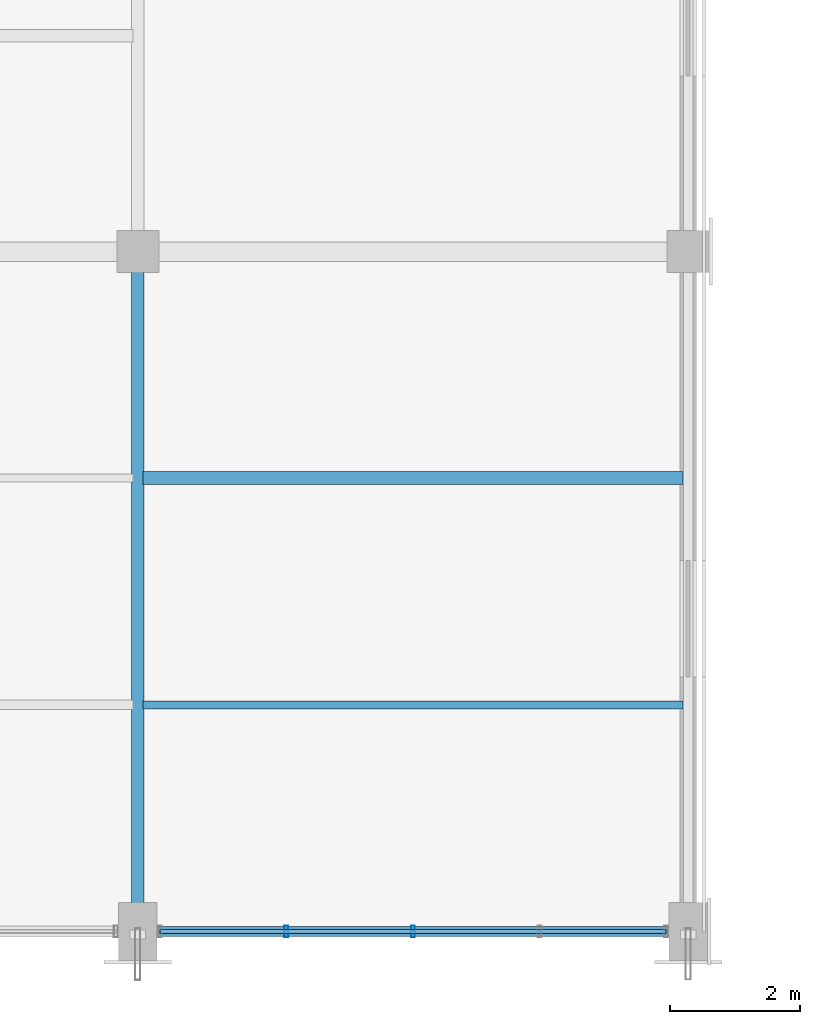
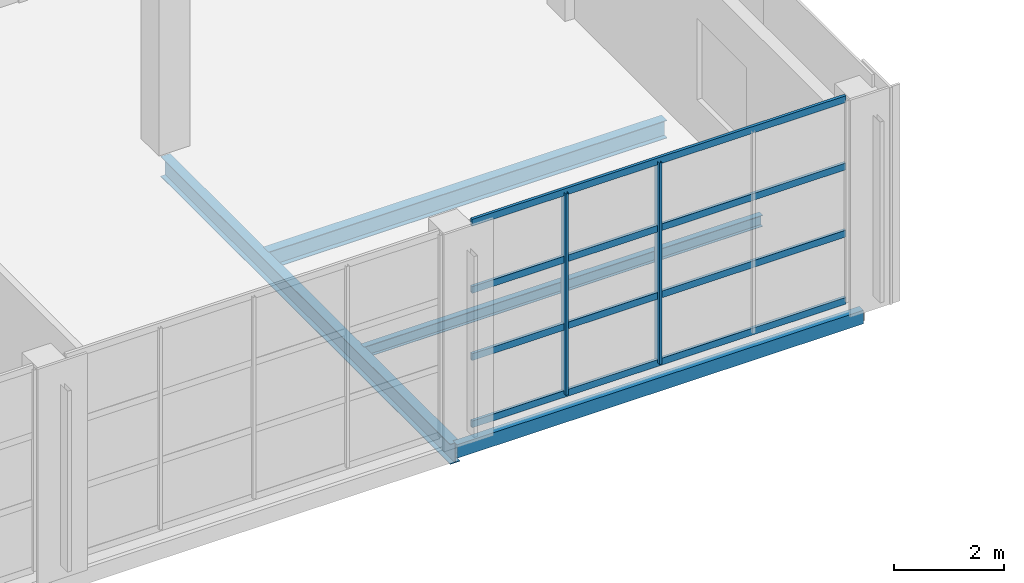
# One storey, part 7 of 66: 6 members, 4 beams, 1 element without a shape of its own.
"""IFC4 building model written with IfcOpenShell, lengths in metres."""

import ifcopenshell
import ifcopenshell.guid

model = None  # the IFC model being written
_history = None  # IfcOwnerHistory: only IFC2X3 demands one
_inside = {}  # id of a spatial element -> (the spatial element, [elements in it])
_under = {}  # id of a project, library or spatial element -> (it, [spatial elements below it])
_declared = {}  # id of a project -> (the project, [libraries it declares])
_typed = {}  # id of a type object -> (the type object, [elements of that type])
_made_of = {}  # id of a material, layer set ... -> (it, [elements and type objects made of it])


def new_model(schema):
    """Start an empty IFC model of exactly this schema.

    Asked for "IFC4X3", IfcOpenShell would pick the latest addendum, in which some entities
    have other attributes; the version numbers below select the first issue.
    IFC2X3 requires an IfcOwnerHistory on every rooted entity: one is made here for all.
    """
    global model, _history
    if schema == "IFC4X3":
        model = ifcopenshell.file(schema_version=(4, 3, 0, 0))
    else:
        model = ifcopenshell.file(schema=schema)
    _inside.clear()
    _under.clear()
    _declared.clear()
    _typed.clear()
    _made_of.clear()
    _history = None
    if model.schema == "IFC2X3":
        org = make("IfcOrganization", Name="unknown")
        user = make(
            "IfcPersonAndOrganization",
            ThePerson=make("IfcPerson", FamilyName="unknown"),
            TheOrganization=org,
        )
        app = make(
            "IfcApplication",
            ApplicationDeveloper=org,
            Version="unknown",
            ApplicationFullName="unknown",
            ApplicationIdentifier="unknown",
        )
        _history = make(
            "IfcOwnerHistory",
            OwningUser=user,
            OwningApplication=app,
            ChangeAction="ADDED",
            CreationDate=0,
        )
    return model


def make(cls, **values):
    """One entity of the class cls with the attributes given. An attribute that is None is left unset."""
    return model.create_entity(
        cls, **{name: value for name, value in values.items() if value is not None}
    )


def rooted(cls, **values):
    """An entity with a GlobalId (a new one), such as an element, a storey or a relation."""
    return make(cls, GlobalId=ifcopenshell.guid.new(), OwnerHistory=_history, **values)


def si_unit(unit_type, name, prefix=None):
    """IfcSIUnit, for example si_unit("LENGTHUNIT", "METRE", prefix="MILLI")."""
    return make("IfcSIUnit", UnitType=unit_type, Prefix=prefix, Name=name)


def assignment(units):
    """IfcUnitAssignment: the units of a project."""
    return None if units is None else make("IfcUnitAssignment", Units=units)


def point(xyz):
    """IfcCartesianPoint."""
    return None if xyz is None else make("IfcCartesianPoint", Coordinates=xyz)


def direction(xyz):
    """IfcDirection."""
    return None if xyz is None else make("IfcDirection", DirectionRatios=xyz)


def frame(location, z_axis=None, x_axis=None):
    """IfcAxis2Placement3D, a coordinate frame: its origin and axes. An axis left out is left unset."""
    return make(
        "IfcAxis2Placement3D",
        Location=point(location),
        Axis=direction(z_axis),
        RefDirection=direction(x_axis),
    )


def frame_2d(location, x_axis=None):
    """IfcAxis2Placement2D, a coordinate frame in the plane: its origin and x axis."""
    return make(
        "IfcAxis2Placement2D", Location=point(location), RefDirection=direction(x_axis)
    )


def origin():
    """The frame at (0, 0, 0) with its axes left unset."""
    return frame((0.0, 0.0, 0.0))


def origin_2d():
    """The frame at (0, 0) in the plane with its x axis left unset."""
    return frame_2d((0.0, 0.0))


def place(relative_to, where):
    """IfcLocalPlacement: puts the frame where relative to a parent placement (None: the world)."""
    return make(
        "IfcLocalPlacement", PlacementRelTo=relative_to, RelativePlacement=where
    )


def context(
    kind, dimensions, precision=None, world=None, true_north=None, identifier=None
):
    """IfcGeometricRepresentationContext, for example the 3D "Model" context."""
    return make(
        "IfcGeometricRepresentationContext",
        ContextIdentifier=identifier,
        ContextType=kind,
        CoordinateSpaceDimension=dimensions,
        Precision=precision,
        WorldCoordinateSystem=world,
        TrueNorth=true_north,
    )


def subcontext(parent, identifier, kind, view, scale=None):
    """IfcGeometricRepresentationSubContext, for example "Body" below "Model"."""
    return make(
        "IfcGeometricRepresentationSubContext",
        ContextIdentifier=identifier,
        ContextType=kind,
        ParentContext=parent,
        TargetScale=scale,
        TargetView=view,
    )


def project(units=None, contexts=None):
    """IfcProject with its units and contexts."""
    return rooted(
        "IfcProject",
        Name="project",
        RepresentationContexts=contexts,
        UnitsInContext=assignment(units),
    )


def spatial(cls, under=None, at=None, **own):
    """A site, building, storey or space (cls), placed at a placement, below another one or the project."""
    s = rooted(cls, ObjectPlacement=at, **own)
    if under is not None:
        _under.setdefault(under.id(), (under, []))[1].append(s)
    return s


def profile(cls, at=None, kind="AREA", **sizes):
    """A parametric profile (cls). Its sizes go by their IFC names, for example OverallWidth=200.0."""
    return make(cls, ProfileType=kind, Position=at, **sizes)


def hollow_rectangle(**sizes):
    """IfcRectangleHollowProfileDef."""
    return profile("IfcRectangleHollowProfileDef", **sizes)


def i_section(**sizes):
    """IfcIShapeProfileDef."""
    return profile("IfcIShapeProfileDef", **sizes)


def extrude(swept, where, along, depth):
    """IfcExtrudedAreaSolid: the profile swept, set in the frame where, extruded along a direction by depth."""
    return make(
        "IfcExtrudedAreaSolid",
        SweptArea=swept,
        Position=where,
        ExtrudedDirection=direction(along),
        Depth=depth,
    )


def shape(context_of_items, identifier, shape_type, items):
    """IfcShapeRepresentation: the items that make up one representation, for example the "Body"."""
    return make(
        "IfcShapeRepresentation",
        ContextOfItems=context_of_items,
        RepresentationIdentifier=identifier,
        RepresentationType=shape_type,
        Items=items,
    )


def material(Name=None, Category=None):
    """IfcMaterial."""
    return make("IfcMaterial", Name=Name, Category=Category)


def material_profile(
    of_material, cross_section, Name=None, Category=None, Priority=None
):
    """IfcMaterialProfile: a cross section and its material."""
    return make(
        "IfcMaterialProfile",
        Name=Name,
        Material=of_material,
        Profile=cross_section,
        Priority=Priority,
        Category=Category,
    )


def profile_set(profiles, Name=None, composite=None):
    """IfcMaterialProfileSet."""
    return make(
        "IfcMaterialProfileSet",
        Name=Name,
        MaterialProfiles=profiles,
        CompositeProfile=composite,
    )


def made_of(thing, what):
    """Note that an element or type object is made of a material, layer set ...; save() writes the relation."""
    if what is not None:
        _made_of.setdefault(what.id(), (what, []))[1].append(thing)
    return thing


def type_object(cls, material=None, **own):
    """A type object (cls), such as IfcWallType, which elements share."""
    return made_of(rooted(cls, **own), material)


def element(
    cls,
    number,
    at=None,
    inside=None,
    cuts=None,
    type_object=None,
    material=None,
    context=None,
    identifier="Body",
    shape_type=None,
    held_by="IfcProductDefinitionShape",
    body=None,
    shapes=None,
    **own,
):
    """One element of the class cls, such as IfcWall. Its Tag is "e" and its number.

    at: its placement. inside: the storey or other place that contains it. cuts: it is an
    opening in that element (IfcRelVoidsElement). A single representation is given by context,
    identifier, shape_type and body (its items); several are given by shapes. held_by: the class
    of the entity that holds the representations. save() writes the other relations.
    """
    e = rooted(cls, Tag="e%d" % number, ObjectPlacement=at, **own)
    if body is not None:
        shapes = [shape(context, identifier, shape_type, body)]
    if shapes is not None:
        e.Representation = make(held_by, Representations=shapes)
    if inside is not None:
        _inside.setdefault(inside.id(), (inside, []))[1].append(e)
    if cuts is not None:
        rooted(
            "IfcRelVoidsElement", RelatingBuildingElement=cuts, RelatedOpeningElement=e
        )
    if type_object is not None:
        _typed.setdefault(type_object.id(), (type_object, []))[1].append(e)
    return made_of(e, material)


def aggregate(whole, parts):
    """IfcRelAggregates: a whole, such as a stair, and the parts it consists of."""
    return rooted("IfcRelAggregates", RelatingObject=whole, RelatedObjects=parts)


def save(model, path):
    """Write the relations noted so far, then the file.

    IfcRelAggregates (storeys below a building ...), IfcRelContainedInSpatialStructure (elements
    in a storey), IfcRelDefinesByType, IfcRelAssociatesMaterial and IfcRelDeclares: one each for
    every whole, place, type object, material and project.
    """
    for whole, parts in _under.values():
        aggregate(whole, parts)
    for where, things in _inside.values():
        rooted(
            "IfcRelContainedInSpatialStructure",
            RelatedElements=things,
            RelatingStructure=where,
        )
    for kind, things in _typed.values():
        rooted("IfcRelDefinesByType", RelatedObjects=things, RelatingType=kind)
    for what, things in _made_of.values():
        rooted("IfcRelAssociatesMaterial", RelatedObjects=things, RelatingMaterial=what)
    for by, libraries in _declared.values():
        rooted("IfcRelDeclares", RelatingContext=by, RelatedDefinitions=libraries)
    model.write(path)


model = new_model("IFC4")

# Units and contexts
model_context = context("Model", 3, precision=1e-05, world=origin(), true_north=direction((0.0, 1.0)))
body_context = subcontext(model_context, "Body", "Model", "MODEL_VIEW")
ifc_project = project(units=[si_unit("LENGTHUNIT", "METRE"), si_unit("AREAUNIT", "SQUARE_METRE"), si_unit("VOLUMEUNIT", "CUBIC_METRE"), si_unit("PLANEANGLEUNIT", "RADIAN"), si_unit("MASSUNIT", "GRAM", prefix="KILO")], contexts=[model_context])

# Site, building, storey
site_placement = place(None, origin())
site = spatial("IfcSite", under=ifc_project, at=site_placement, CompositionType="ELEMENT")
building_placement = place(site_placement, origin())
building = spatial("IfcBuilding", under=site, at=building_placement, Name="Solvikara Media Centre", CompositionType="ELEMENT")
storey_placement = place(building_placement, frame((0.0, 0.0, 19.800048828125)))
storey = spatial("IfcBuildingStorey", under=building, at=storey_placement, Name="L04", CompositionType="ELEMENT", Elevation=19.800048828125)

# Beams
ifc_material_1 = material(Name="Steel S355JR", Category="steel")
ifc_material_profile_1 = material_profile(ifc_material_1, i_section(OverallWidth=0.125, OverallDepth=0.25, WebThickness=0.006103515625, FlangeThickness=0.009033203125, at=origin_2d()), Name="WF 250x125x6x9")
ifc_profile_set_1 = profile_set([ifc_material_profile_1], Name="Steel S355JR")
beam_type_1 = type_object("IfcBeamType", Name="BM-24", PredefinedType="JOIST", material=ifc_profile_set_1)
beam_1_placement = place(storey_placement, frame((59.577880859375, 3.5, -0.406982421875), z_axis=(1.0, 0.0, 0.0), x_axis=(0.0, 1.0, 0.0)))
element("IfcBeam", 1, at=beam_1_placement, inside=storey, type_object=beam_type_1, Name="J-L04-1612", PredefinedType="JOIST", context=body_context, shape_type="SweptSolid", body=[
    extrude(i_section(OverallWidth=0.125, OverallDepth=0.25, WebThickness=0.006103515625, FlangeThickness=0.009033203125, at=origin_2d()), origin(), (0.0, 0.0, 1.0), 8.34423828125),
])
ifc_material_profile_2 = material_profile(ifc_material_1, hollow_rectangle(XDim=0.14990234375, YDim=0.300048828125, WallThickness=0.010009765625, at=origin_2d()), Name="RHS 300x150x10")
ifc_profile_set_2 = profile_set([ifc_material_profile_2], Name="Steel S355JR")
beam_type_2 = type_object("IfcBeamType", Name="BM-35", PredefinedType="BEAM", material=ifc_profile_set_2)
beam_2_placement = place(storey_placement, frame((59.5, 0.0, -0.43212890625), z_axis=(1.0, 0.0, 0.0), x_axis=(0.0, 1.0, 0.0)))
element("IfcBeam", 2, at=beam_2_placement, inside=storey, type_object=beam_type_2, Name="B-L04-X1437", PredefinedType="BEAM", context=body_context, shape_type="SweptSolid", body=[
    extrude(hollow_rectangle(XDim=0.14990234375, YDim=0.300048828125, WallThickness=0.010009765625, at=origin_2d()), origin(), (0.0, 0.0, 1.0), 8.5),
])
ifc_material_profile_3 = material_profile(ifc_material_1, i_section(OverallWidth=0.198974609375, OverallDepth=0.39599609375, WebThickness=0.007080078125, FlangeThickness=0.010986328125, at=origin_2d()), Name="WF 396x199x7x11")
ifc_profile_set_3 = profile_set([ifc_material_profile_3], Name="Steel S355JR")
beam_type_3 = type_object("IfcBeamType", Name="BM-37", PredefinedType="JOIST", material=ifc_profile_set_3)
beam_3_placement = place(storey_placement, frame((59.577880859375, 7.0, -0.47998046875), z_axis=(1.0, 0.0, 0.0), x_axis=(0.0, 1.0, 0.0)))
element("IfcBeam", 3, at=beam_3_placement, inside=storey, type_object=beam_type_3, Name="J-L04-1613", PredefinedType="JOIST", context=body_context, shape_type="SweptSolid", body=[
    extrude(i_section(OverallWidth=0.198974609375, OverallDepth=0.39599609375, WebThickness=0.007080078125, FlangeThickness=0.010986328125, at=origin_2d()), origin(), (0.0, 0.0, 1.0), 8.34423828125),
])
ifc_material_profile_4 = material_profile(ifc_material_1, i_section(OverallWidth=0.198974609375, OverallDepth=0.446044921875, WebThickness=0.008056640625, FlangeThickness=0.011962890625, at=origin_2d()), Name="H 446x199x8x12")
ifc_profile_set_4 = profile_set([ifc_material_profile_4], Name="Steel S355JR")
beam_type_4 = type_object("IfcBeamType", Name="BM-43", PredefinedType="BEAM", material=ifc_profile_set_4)
beam_4_placement = place(storey_placement, frame((59.5, 0.0, -0.505126953125), z_axis=(0.0, 1.0, 0.0), x_axis=(-1.0, 0.0, 0.0)))
element("IfcBeam", 4, at=beam_4_placement, inside=storey, type_object=beam_type_4, Name="B-L04-Y1525", PredefinedType="BEAM", context=body_context, shape_type="SweptSolid", body=[
    extrude(i_section(OverallWidth=0.198974609375, OverallDepth=0.446044921875, WebThickness=0.008056640625, FlangeThickness=0.011962890625, at=origin_2d()), origin(), (0.0, 0.0, 1.0), 10.5),
])

# Curtain wall, members
ifc_material_2 = material(Name="Anodised aluminium EN AW-6063", Category="aluminium")
curtain_wall_type = type_object("IfcCurtainWallType", Name="CW-15", PredefinedType="NOTDEFINED", material=ifc_material_2)
curtain_wall_placement = place(storey_placement, origin())
curtain_wall = element("IfcCurtainWall", 5, at=curtain_wall_placement, inside=storey, type_object=curtain_wall_type, Name="CW-L04-V6S-4", PredefinedType="NOTDEFINED")
ifc_material_profile_5 = material_profile(ifc_material_2, hollow_rectangle(XDim=0.06005859375, YDim=0.179931640625, WallThickness=0.00341796875, at=origin_2d()), Name="ALU-M 60x180x3.5")
ifc_profile_set_5 = profile_set([ifc_material_profile_5], Name="Anodised aluminium EN AW-6063")
member_type_1 = type_object("IfcMemberType", Name="MF-03", PredefinedType="MULLION", material=ifc_profile_set_5)
member_1_placement = place(storey_placement, frame((61.794921875, 0.0, 0.02001953125), z_axis=(0.0, 0.0, 1.0), x_axis=(1.0, 0.0, 0.0)))
member_1 = element("IfcMember", 6, at=member_1_placement, type_object=member_type_1, Name="CW-L04-V6S-4-M01", PredefinedType="MULLION", context=body_context, shape_type="SweptSolid", body=[
    extrude(hollow_rectangle(XDim=0.06005859375, YDim=0.179931640625, WallThickness=0.00341796875, at=origin_2d()), origin(), (0.0, 0.0, 1.0), 4.4599609375),
])
member_2_placement = place(storey_placement, frame((63.75, 0.0, 0.02001953125), z_axis=(0.0, 0.0, 1.0), x_axis=(1.0, 0.0, 0.0)))
member_2 = element("IfcMember", 7, at=member_2_placement, type_object=member_type_1, Name="CW-L04-V6S-4-M02", PredefinedType="MULLION", context=body_context, shape_type="SweptSolid", body=[
    extrude(hollow_rectangle(XDim=0.06005859375, YDim=0.179931640625, WallThickness=0.00341796875, at=origin_2d()), origin(), (0.0, 0.0, 1.0), 4.4599609375),
])
ifc_material_profile_6 = material_profile(ifc_material_2, hollow_rectangle(XDim=0.06005859375, YDim=0.14990234375, WallThickness=0.0029296875, at=origin_2d()), Name="ALU-T 60x150x3")
ifc_profile_set_6 = profile_set([ifc_material_profile_6], Name="Anodised aluminium EN AW-6063")
member_type_2 = type_object("IfcMemberType", Name="MF-09", PredefinedType="USERDEFINED", material=ifc_profile_set_6)
member_3_placement = place(storey_placement, frame((59.840087890625, 0.0, 0.02001953125), z_axis=(1.0, 0.0, 0.0), x_axis=(0.0, 1.0, 0.0)))
member_3 = element("IfcMember", 8, at=member_3_placement, type_object=member_type_2, Name="CW-L04-V6S-4-T00", ObjectType="TRANSOM", PredefinedType="USERDEFINED", context=body_context, shape_type="SweptSolid", body=[
    extrude(hollow_rectangle(XDim=0.06005859375, YDim=0.14990234375, WallThickness=0.0029296875, at=origin_2d()), origin(), (0.0, 0.0, 1.0), 7.81982421875),
])
member_4_placement = place(storey_placement, frame((59.840087890625, 0.0, 1.5068359375), z_axis=(1.0, 0.0, 0.0), x_axis=(0.0, 1.0, 0.0)))
member_4 = element("IfcMember", 9, at=member_4_placement, type_object=member_type_2, Name="CW-L04-V6S-4-T01", ObjectType="TRANSOM", PredefinedType="USERDEFINED", context=body_context, shape_type="SweptSolid", body=[
    extrude(hollow_rectangle(XDim=0.06005859375, YDim=0.14990234375, WallThickness=0.0029296875, at=origin_2d()), origin(), (0.0, 0.0, 1.0), 7.81982421875),
])
member_5_placement = place(storey_placement, frame((59.840087890625, 0.0, 2.992919921875), z_axis=(1.0, 0.0, 0.0), x_axis=(0.0, 1.0, 0.0)))
member_5 = element("IfcMember", 10, at=member_5_placement, type_object=member_type_2, Name="CW-L04-V6S-4-T02", ObjectType="TRANSOM", PredefinedType="USERDEFINED", context=body_context, shape_type="SweptSolid", body=[
    extrude(hollow_rectangle(XDim=0.06005859375, YDim=0.14990234375, WallThickness=0.0029296875, at=origin_2d()), origin(), (0.0, 0.0, 1.0), 7.81982421875),
])
member_6_placement = place(storey_placement, frame((59.840087890625, 0.0, 4.47998046875), z_axis=(1.0, 0.0, 0.0), x_axis=(0.0, 1.0, 0.0)))
member_6 = element("IfcMember", 11, at=member_6_placement, type_object=member_type_2, Name="CW-L04-V6S-4-T03", ObjectType="TRANSOM", PredefinedType="USERDEFINED", context=body_context, shape_type="SweptSolid", body=[
    extrude(hollow_rectangle(XDim=0.06005859375, YDim=0.14990234375, WallThickness=0.0029296875, at=origin_2d()), origin(), (0.0, 0.0, 1.0), 7.81982421875),
])
aggregate(curtain_wall, [member_1, member_2, member_3, member_4, member_5, member_6])

save(model, "model.ifc")
